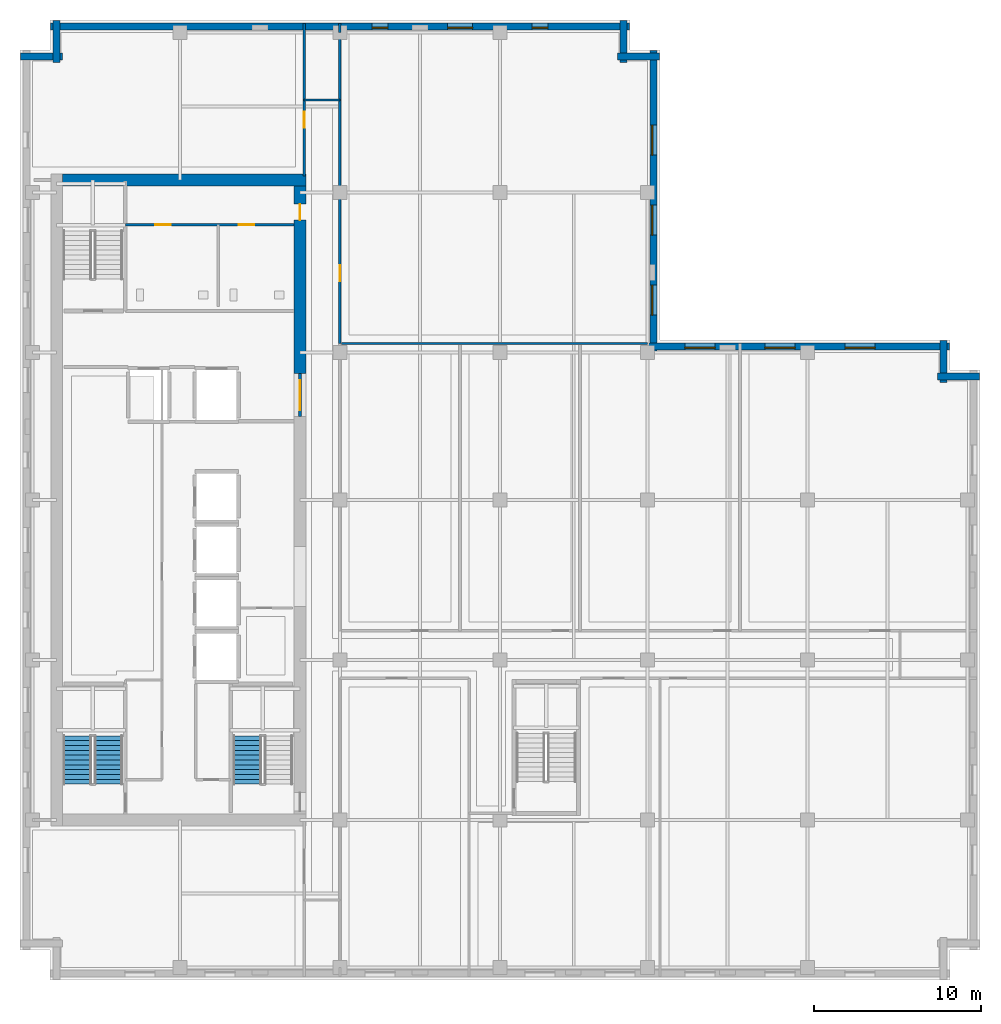
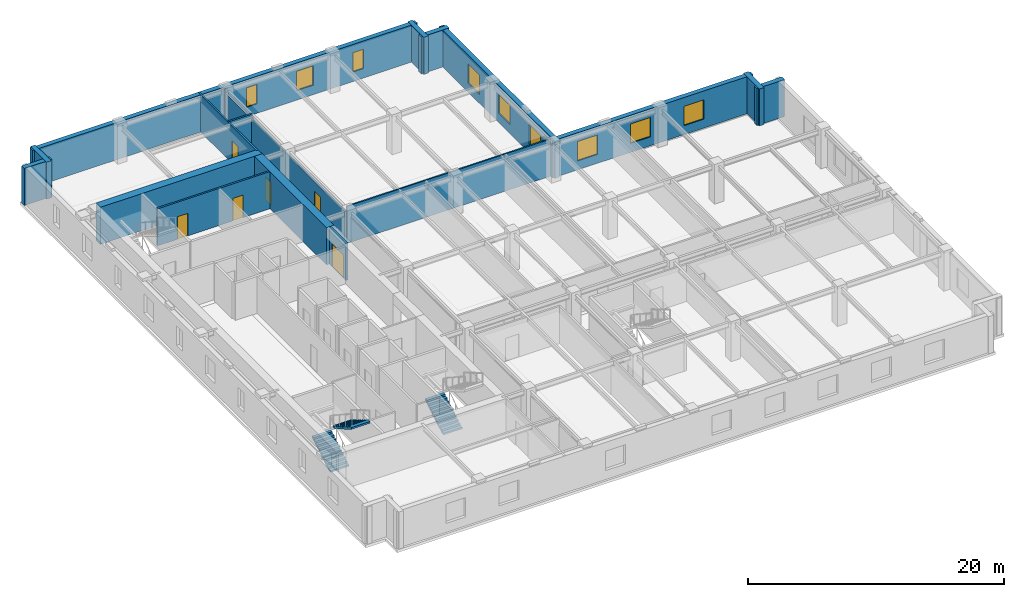
# One storey, part 6 of 11: 18 walls, 9 windows, 6 doors, 3 stair flights, 15 openings, 2 elements without a shape of their own.
"""IFC4 building model written with IfcOpenShell, lengths in metres."""

from ifc_helpers import new_model, si_unit, direction, frame, frame_2d, origin, place, context, subcontext, project, spatial, polyline, rectangle, outline, extrude, material, layer, layer_set, type_object, element, fill, aggregate, save


model = new_model("IFC4")

# Units and contexts
model_context = context("Model", 3, precision=1e-05, world=origin(), true_north=direction((0.0, 1.0)))
body_context = subcontext(model_context, "Body", "Model", "MODEL_VIEW")
ifc_project = project(units=[si_unit("LENGTHUNIT", "METRE"), si_unit("AREAUNIT", "SQUARE_METRE"), si_unit("VOLUMEUNIT", "CUBIC_METRE"), si_unit("PLANEANGLEUNIT", "RADIAN"), si_unit("MASSUNIT", "GRAM", prefix="KILO")], contexts=[model_context])

# Site, building, storey
site_placement = place(None, origin())
site = spatial("IfcSite", under=ifc_project, at=site_placement, CompositionType="ELEMENT")
building_placement = place(site_placement, origin())
building = spatial("IfcBuilding", under=site, at=building_placement, Name="Norrvale University Quadrangle", CompositionType="ELEMENT")
storey_placement = place(building_placement, frame((0.0, 0.0, 206.60009765625)))
storey = spatial("IfcBuildingStorey", under=building, at=storey_placement, Name="L52", CompositionType="ELEMENT", Elevation=206.60009765625)

# Walls
ifc_material_1 = material(Name="Buff Norman Clay Brick Masonry", Category="masonry")
ifc_layer_1 = layer(ifc_material_1, 0.419921875, Name="Buff Norman Clay Brick Masonry")
ifc_layer_set_1 = layer_set([ifc_layer_1], Name="Buff Norman Clay Brick Masonry")
wall_type_1 = type_object("IfcWallType", Name="Wall Buff Brick 420", PredefinedType="SOLIDWALL", material=ifc_layer_set_1)
for number, where, z_axis, x_axis, name in (
    (1, (57.56005859375, 36.2099609375, 0.0), (0.0, 0.0, 1.0), (-1.0, 0.0, 0.0), "Exterior Brick Facade Wall L52-05.1"),
    (2, (55.409912109375, 35.860107421875, 0.0), (0.0, 0.0, 1.0), (0.0, 1.0, 0.0), "Exterior Brick Facade Wall L52-06.1"),
):
    element("IfcWall", number, at=place(storey_placement, frame(where, z_axis=z_axis, x_axis=x_axis)), inside=storey, type_object=wall_type_1, Name=name, PredefinedType="SOLIDWALL", context=body_context, shape_type="SweptSolid", body=[
        extrude(rectangle(XDim=2.5, YDim=0.419921875, at=frame_2d((1.25, 0.0))), origin(), (0.0, 0.0, 1.0), 3.539794921875),
    ])

# Wall, openings, windows
wall_1_placement = place(storey_placement, frame((55.760009765625, 38.010009765625, 0.0), z_axis=(0.0, 0.0, 1.0), x_axis=(-1.0, 0.0, 0.0)))
wall_1 = element("IfcWall", 3, at=wall_1_placement, inside=storey, type_object=wall_type_1, Name="Exterior Brick Facade Wall L52-07.1", PredefinedType="SOLIDWALL", context=body_context, shape_type="SweptSolid", body=[
    extrude(rectangle(XDim=18.10009765625, YDim=0.419921875, at=frame_2d((9.050048828125, 0.0))), origin(), (0.0, 0.0, 1.0), 3.539794921875),
])
opening_1_placement = place(wall_1_placement, frame((4.4599609375, 0.0, 0.85009765625)))
opening_1 = element("IfcOpeningElement", 4, at=opening_1_placement, cuts=wall_1, Name="Opening W01", PredefinedType="OPENING", context=body_context, shape_type="SweptSolid", body=[
    extrude(rectangle(XDim=1.800048828125, YDim=1.85009765625, at=frame_2d((0.89990234375, 0.925048828125))), frame((0.0, 0.221923828125, 0.0), z_axis=(0.0, -1.0, 0.0), x_axis=(1.0, 0.0, 0.0)), (0.0, 0.0, 1.0), 0.44384765625),
])
opening_2_placement = place(wall_1_placement, frame((9.260009765625, 0.0, 0.85009765625)))
opening_2 = element("IfcOpeningElement", 5, at=opening_2_placement, cuts=wall_1, Name="Opening W01", PredefinedType="OPENING", context=body_context, shape_type="SweptSolid", body=[
    extrude(rectangle(XDim=1.800048828125, YDim=1.85009765625, at=frame_2d((0.89990234375, 0.925048828125))), frame((0.0, 0.221923828125, 0.0), z_axis=(0.0, -1.0, 0.0), x_axis=(1.0, 0.0, 0.0)), (0.0, 0.0, 1.0), 0.44384765625),
])
opening_3_placement = place(wall_1_placement, frame((14.06005859375, 0.0, 0.85009765625)))
opening_3 = element("IfcOpeningElement", 6, at=opening_3_placement, cuts=wall_1, Name="Opening W01", PredefinedType="OPENING", context=body_context, shape_type="SweptSolid", body=[
    extrude(rectangle(XDim=1.800048828125, YDim=1.85009765625, at=frame_2d((0.89990234375, 0.925048828125))), frame((0.0, 0.221923828125, 0.0), z_axis=(0.0, -1.0, 0.0), x_axis=(1.0, 0.0, 0.0)), (0.0, 0.0, 1.0), 0.44384765625),
])
ifc_material_2 = material(Name="Triple Low-E Argon Glazing", Category="glass")
window_type_1 = type_object("IfcWindowType", Name="Window Academic 1800x2300", PartitioningType="DOUBLE_PANEL_VERTICAL", PredefinedType="WINDOW", material=ifc_material_2)
window_1_placement = place(opening_1_placement, origin())
window_1 = element("IfcWindow", 7, at=window_1_placement, inside=storey, type_object=window_type_1, Name="Window Academic 1800x2300 WIN-L52-E07-1-01", OverallHeight=1.85009765625, OverallWidth=1.800048828125, PartitioningType="DOUBLE_PANEL_VERTICAL", PredefinedType="WINDOW", context=body_context, shape_type="SweptSolid", body=[
    extrude(rectangle(XDim=1.800048828125, YDim=1.85009765625, at=frame_2d((0.89990234375, 0.925048828125))), frame((0.0, 0.110107421875, 0.0), z_axis=(0.0, -1.0, 0.0), x_axis=(1.0, 0.0, 0.0)), (0.0, 0.0, 1.0), 0.06005859375),
])
fill(opening_1, window_1)
window_2_placement = place(opening_2_placement, origin())
window_2 = element("IfcWindow", 8, at=window_2_placement, inside=storey, type_object=window_type_1, Name="Window Academic 1800x2300 WIN-L52-E07-1-02", OverallHeight=1.85009765625, OverallWidth=1.800048828125, PartitioningType="DOUBLE_PANEL_VERTICAL", PredefinedType="WINDOW", context=body_context, shape_type="SweptSolid", body=[
    extrude(rectangle(XDim=1.800048828125, YDim=1.85009765625, at=frame_2d((0.89990234375, 0.925048828125))), frame((0.0, 0.110107421875, 0.0), z_axis=(0.0, -1.0, 0.0), x_axis=(1.0, 0.0, 0.0)), (0.0, 0.0, 1.0), 0.06005859375),
])
fill(opening_2, window_2)
window_3_placement = place(opening_3_placement, origin())
window_3 = element("IfcWindow", 9, at=window_3_placement, inside=storey, type_object=window_type_1, Name="Window Academic 1800x2300 WIN-L52-E07-1-03", OverallHeight=1.85009765625, OverallWidth=1.800048828125, PartitioningType="DOUBLE_PANEL_VERTICAL", PredefinedType="WINDOW", context=body_context, shape_type="SweptSolid", body=[
    extrude(rectangle(XDim=1.800048828125, YDim=1.85009765625, at=frame_2d((0.89990234375, 0.925048828125))), frame((0.0, 0.110107421875, 0.0), z_axis=(0.0, -1.0, 0.0), x_axis=(1.0, 0.0, 0.0)), (0.0, 0.0, 1.0), 0.06005859375),
])
fill(opening_3, window_3)

wall_2_placement = place(storey_placement, frame((38.010009765625, 37.659912109375, 0.0), z_axis=(0.0, 0.0, 1.0), x_axis=(0.0, 1.0, 0.0)))
wall_2 = element("IfcWall", 10, at=wall_2_placement, inside=storey, type_object=wall_type_1, Name="Exterior Brick Facade Wall L52-08.1", PredefinedType="SOLIDWALL", context=body_context, shape_type="SweptSolid", body=[
    extrude(rectangle(XDim=18.10009765625, YDim=0.419921875, at=frame_2d((9.050048828125, 0.0))), origin(), (0.0, 0.0, 1.0), 3.539794921875),
])
opening_4_placement = place(wall_2_placement, frame((2.239990234375, 0.0, 0.85009765625)))
opening_4 = element("IfcOpeningElement", 11, at=opening_4_placement, cuts=wall_2, Name="Opening W01", PredefinedType="OPENING", context=body_context, shape_type="SweptSolid", body=[
    extrude(rectangle(XDim=1.800048828125, YDim=1.85009765625, at=frame_2d((0.89990234375, 0.925048828125))), frame((0.0, 0.221923828125, 0.0), z_axis=(0.0, -1.0, 0.0), x_axis=(1.0, 0.0, 0.0)), (0.0, 0.0, 1.0), 0.44384765625),
])
opening_5_placement = place(wall_2_placement, frame((7.0400390625, 0.0, 0.85009765625)))
opening_5 = element("IfcOpeningElement", 12, at=opening_5_placement, cuts=wall_2, Name="Opening W01", PredefinedType="OPENING", context=body_context, shape_type="SweptSolid", body=[
    extrude(rectangle(XDim=1.800048828125, YDim=1.85009765625, at=frame_2d((0.89990234375, 0.925048828125))), frame((0.0, 0.221923828125, 0.0), z_axis=(0.0, -1.0, 0.0), x_axis=(1.0, 0.0, 0.0)), (0.0, 0.0, 1.0), 0.44384765625),
])
opening_6_placement = place(wall_2_placement, frame((11.840087890625, 0.0, 0.85009765625)))
opening_6 = element("IfcOpeningElement", 13, at=opening_6_placement, cuts=wall_2, Name="Opening W01", PredefinedType="OPENING", context=body_context, shape_type="SweptSolid", body=[
    extrude(rectangle(XDim=1.800048828125, YDim=1.85009765625, at=frame_2d((0.89990234375, 0.925048828125))), frame((0.0, 0.221923828125, 0.0), z_axis=(0.0, -1.0, 0.0), x_axis=(1.0, 0.0, 0.0)), (0.0, 0.0, 1.0), 0.44384765625),
])
window_4_placement = place(opening_4_placement, origin())
window_4 = element("IfcWindow", 14, at=window_4_placement, inside=storey, type_object=window_type_1, Name="Window Academic 1800x2300 WIN-L52-E08-1-01", OverallHeight=1.85009765625, OverallWidth=1.800048828125, PartitioningType="DOUBLE_PANEL_VERTICAL", PredefinedType="WINDOW", context=body_context, shape_type="SweptSolid", body=[
    extrude(rectangle(XDim=1.800048828125, YDim=1.85009765625, at=frame_2d((0.89990234375, 0.925048828125))), frame((0.0, 0.110107421875, 0.0), z_axis=(0.0, -1.0, 0.0), x_axis=(1.0, 0.0, 0.0)), (0.0, 0.0, 1.0), 0.06005859375),
])
fill(opening_4, window_4)
window_5_placement = place(opening_5_placement, origin())
window_5 = element("IfcWindow", 15, at=window_5_placement, inside=storey, type_object=window_type_1, Name="Window Academic 1800x2300 WIN-L52-E08-1-02", OverallHeight=1.85009765625, OverallWidth=1.800048828125, PartitioningType="DOUBLE_PANEL_VERTICAL", PredefinedType="WINDOW", context=body_context, shape_type="SweptSolid", body=[
    extrude(rectangle(XDim=1.800048828125, YDim=1.85009765625, at=frame_2d((0.89990234375, 0.925048828125))), frame((0.0, 0.110107421875, 0.0), z_axis=(0.0, -1.0, 0.0), x_axis=(1.0, 0.0, 0.0)), (0.0, 0.0, 1.0), 0.06005859375),
])
fill(opening_5, window_5)
window_6_placement = place(opening_6_placement, origin())
window_6 = element("IfcWindow", 16, at=window_6_placement, inside=storey, type_object=window_type_1, Name="Window Academic 1800x2300 WIN-L52-E08-1-03", OverallHeight=1.85009765625, OverallWidth=1.800048828125, PartitioningType="DOUBLE_PANEL_VERTICAL", PredefinedType="WINDOW", context=body_context, shape_type="SweptSolid", body=[
    extrude(rectangle(XDim=1.800048828125, YDim=1.85009765625, at=frame_2d((0.89990234375, 0.925048828125))), frame((0.0, 0.110107421875, 0.0), z_axis=(0.0, -1.0, 0.0), x_axis=(1.0, 0.0, 0.0)), (0.0, 0.0, 1.0), 0.06005859375),
])
fill(opening_6, window_6)

# Walls
for number, where, z_axis, x_axis, name in (
    (17, (38.360107421875, 55.409912109375, 0.0), (0.0, 0.0, 1.0), (-1.0, 0.0, 0.0), "Exterior Brick Facade Wall L52-09.1"),
    (18, (36.2099609375, 55.06005859375, 0.0), (0.0, 0.0, 1.0), (0.0, 1.0, 0.0), "Exterior Brick Facade Wall L52-10.1"),
):
    element("IfcWall", number, at=place(storey_placement, frame(where, z_axis=z_axis, x_axis=x_axis)), inside=storey, type_object=wall_type_1, Name=name, PredefinedType="SOLIDWALL", context=body_context, shape_type="SweptSolid", body=[
        extrude(rectangle(XDim=2.5, YDim=0.419921875, at=frame_2d((1.25, 0.0))), origin(), (0.0, 0.0, 1.0), 3.539794921875),
    ])

# Wall, openings, windows
wall_3_placement = place(storey_placement, frame((36.56005859375, 57.2099609375, 0.0), z_axis=(0.0, 0.0, 1.0), x_axis=(-1.0, 0.0, 0.0)))
wall_3 = element("IfcWall", 19, at=wall_3_placement, inside=storey, type_object=wall_type_1, Name="Exterior Brick Facade Wall L52-11.1", PredefinedType="SOLIDWALL", context=body_context, shape_type="SweptSolid", body=[
    extrude(rectangle(XDim=34.719970703125, YDim=0.419921875, at=frame_2d((17.35986328125, 0.0))), origin(), (0.0, 0.0, 1.0), 3.539794921875),
])
opening_7_placement = place(wall_3_placement, frame((4.885009765625, 0.0, 0.89990234375)))
opening_7 = element("IfcOpeningElement", 20, at=opening_7_placement, cuts=wall_3, Name="Opening W04", PredefinedType="OPENING", context=body_context, shape_type="SweptSolid", body=[
    extrude(rectangle(XDim=0.949951171875, YDim=1.85009765625, at=frame_2d((0.47509765625, 0.925048828125))), frame((0.0, 0.221923828125, 0.0), z_axis=(0.0, -1.0, 0.0), x_axis=(1.0, 0.0, 0.0)), (0.0, 0.0, 1.0), 0.44384765625),
])
opening_8_placement = place(wall_3_placement, frame((9.409912109375, 0.0, 0.89990234375)))
opening_8 = element("IfcOpeningElement", 21, at=opening_8_placement, cuts=wall_3, Name="Opening W03", PredefinedType="OPENING", context=body_context, shape_type="SweptSolid", body=[
    extrude(rectangle(XDim=1.5, YDim=1.85009765625, at=frame_2d((0.75, 0.925048828125))), frame((0.0, 0.221923828125, 0.0), z_axis=(0.0, -1.0, 0.0), x_axis=(1.0, 0.0, 0.0)), (0.0, 0.0, 1.0), 0.44384765625),
])
opening_9_placement = place(wall_3_placement, frame((14.485107421875, 0.0, 0.89990234375)))
opening_9 = element("IfcOpeningElement", 22, at=opening_9_placement, cuts=wall_3, Name="Opening W04", PredefinedType="OPENING", context=body_context, shape_type="SweptSolid", body=[
    extrude(rectangle(XDim=0.949951171875, YDim=1.85009765625, at=frame_2d((0.47509765625, 0.925048828125))), frame((0.0, 0.221923828125, 0.0), z_axis=(0.0, -1.0, 0.0), x_axis=(1.0, 0.0, 0.0)), (0.0, 0.0, 1.0), 0.44384765625),
])
window_type_2 = type_object("IfcWindowType", Name="Window Narrow Pier 950x2300", PartitioningType="SINGLE_PANEL", PredefinedType="WINDOW", material=ifc_material_2)
window_7_placement = place(opening_7_placement, origin())
window_7 = element("IfcWindow", 23, at=window_7_placement, inside=storey, type_object=window_type_2, Name="Window Narrow Pier 950x2300 WIN-L52-E11-1-01", OverallHeight=1.85009765625, OverallWidth=0.949951171875, PartitioningType="SINGLE_PANEL", PredefinedType="WINDOW", context=body_context, shape_type="SweptSolid", body=[
    extrude(rectangle(XDim=0.949951171875, YDim=1.85009765625, at=frame_2d((0.47509765625, 0.925048828125))), frame((0.0, 0.110107421875, 0.0), z_axis=(0.0, -1.0, 0.0), x_axis=(1.0, 0.0, 0.0)), (0.0, 0.0, 1.0), 0.06005859375),
])
fill(opening_7, window_7)
window_8_placement = place(opening_9_placement, origin())
window_8 = element("IfcWindow", 24, at=window_8_placement, inside=storey, type_object=window_type_2, Name="Window Narrow Pier 950x2300 WIN-L52-E11-1-03", OverallHeight=1.85009765625, OverallWidth=0.949951171875, PartitioningType="SINGLE_PANEL", PredefinedType="WINDOW", context=body_context, shape_type="SweptSolid", body=[
    extrude(rectangle(XDim=0.949951171875, YDim=1.85009765625, at=frame_2d((0.47509765625, 0.925048828125))), frame((0.0, 0.110107421875, 0.0), z_axis=(0.0, -1.0, 0.0), x_axis=(1.0, 0.0, 0.0)), (0.0, 0.0, 1.0), 0.06005859375),
])
fill(opening_9, window_8)
window_type_3 = type_object("IfcWindowType", Name="Window Studio 1500x2300", PartitioningType="DOUBLE_PANEL_VERTICAL", PredefinedType="WINDOW", material=ifc_material_2)
window_9_placement = place(opening_8_placement, origin())
window_9 = element("IfcWindow", 25, at=window_9_placement, inside=storey, type_object=window_type_3, Name="Window Studio 1500x2300 WIN-L52-E11-1-02", OverallHeight=1.85009765625, OverallWidth=1.5, PartitioningType="DOUBLE_PANEL_VERTICAL", PredefinedType="WINDOW", context=body_context, shape_type="SweptSolid", body=[
    extrude(rectangle(XDim=1.5, YDim=1.85009765625, at=frame_2d((0.75, 0.925048828125))), frame((0.0, 0.110107421875, 0.0), z_axis=(0.0, -1.0, 0.0), x_axis=(1.0, 0.0, 0.0)), (0.0, 0.0, 1.0), 0.06005859375),
])
fill(opening_8, window_9)

# Walls
for number, where, z_axis, x_axis, name in (
    (26, (2.18994140625, 57.56005859375, 0.0), (0.0, 0.0, 1.0), (0.0, -1.0, 0.0), "Exterior Brick Facade Wall L52-12.1"),
    (27, (2.5400390625, 55.409912109375, 0.0), (0.0, 0.0, 1.0), (-1.0, 0.0, 0.0), "Exterior Brick Facade Wall L52-13.1"),
):
    element("IfcWall", number, at=place(storey_placement, frame(where, z_axis=z_axis, x_axis=x_axis)), inside=storey, type_object=wall_type_1, Name=name, PredefinedType="SOLIDWALL", context=body_context, shape_type="SweptSolid", body=[
        extrude(rectangle(XDim=2.5, YDim=0.419921875, at=frame_2d((1.25, 0.0))), origin(), (0.0, 0.0, 1.0), 3.539794921875),
    ])
ifc_material_3 = material(Name="Concrete C60/75", Category="concrete")
ifc_layer_2 = layer(ifc_material_3, 0.699951171875, Name="Concrete C60/75")
ifc_layer_set_2 = layer_set([ifc_layer_2], Name="Concrete C60/75")
wall_type_2 = type_object("IfcWallType", Name="Wall Core 700", PredefinedType="SHEAR", material=ifc_layer_set_2)
wall_4_placement = place(storey_placement, frame((2.550048828125, 48.0, 0.0), z_axis=(0.0, 0.0, 1.0), x_axis=(1.0, 0.0, 0.0)))
element("IfcWall", 28, at=wall_4_placement, inside=storey, type_object=wall_type_2, Name="Tower Core Shear Wall L52-N", PredefinedType="SHEAR", context=body_context, shape_type="SweptSolid", body=[
    extrude(rectangle(XDim=14.599853515625, YDim=0.699951171875, at=frame_2d((7.2998046875, 0.0))), origin(), (0.0, 0.0, 1.0), 3.539794921875),
])

# Wall, opening, door
wall_5_placement = place(storey_placement, frame((16.800048828125, 36.39990234375, 0.0), z_axis=(0.0, 0.0, 1.0), x_axis=(0.0, 1.0, 0.0)))
wall_5 = element("IfcWall", 29, at=wall_5_placement, inside=storey, type_object=wall_type_2, Name="Tower Core Shear Wall L52-E3", PredefinedType="SHEAR", context=body_context, shape_type="SweptSolid", body=[
    extrude(rectangle(XDim=11.25, YDim=0.699951171875, at=frame_2d((5.625, 0.0))), origin(), (0.0, 0.0, 1.0), 3.539794921875),
])
opening_10_placement = place(wall_5_placement, frame((9.199951171875, 0.0, 0.0)))
opening_10 = element("IfcOpeningElement", 30, at=opening_10_placement, cuts=wall_5, Name="Opening D07", PredefinedType="OPENING", context=body_context, shape_type="SweptSolid", body=[
    extrude(rectangle(XDim=0.949951171875, YDim=2.14990234375, at=frame_2d((0.47509765625, 1.074951171875))), frame((0.0, 0.362060546875, 0.0), z_axis=(0.0, -1.0, 0.0), x_axis=(1.0, 0.0, 0.0)), (0.0, 0.0, 1.0), 0.723876953125),
])
ifc_material_4 = material(Name="Solid-Core Maple Door", Category="wood")
door_type_1 = type_object("IfcDoorType", Name="Door Office 950x2150", OperationType="NOTDEFINED", PredefinedType="DOOR", material=ifc_material_4)
door_1_placement = place(opening_10_placement, origin())
door_1 = element("IfcDoor", 31, at=door_1_placement, inside=storey, type_object=door_type_1, Name="Door Office 950x2150 DR-L52-NECORR", OperationType="SINGLE_SWING_LEFT", OverallHeight=2.14990234375, OverallWidth=0.949951171875, PredefinedType="DOOR", context=body_context, shape_type="SweptSolid", body=[
    extrude(rectangle(XDim=0.949951171875, YDim=2.14990234375, at=frame_2d((0.47509765625, 1.074951171875))), frame((0.0, 0.02490234375, 0.0), z_axis=(0.0, -1.0, 0.0), x_axis=(1.0, 0.0, 0.0)), (0.0, 0.0, 1.0), 0.050048828125),
])
fill(opening_10, door_1)

# Walls
ifc_material_5 = material(Name="Standard Academic Gypsum Partition")
ifc_layer_3 = layer(ifc_material_5, 0.125, Name="Standard Academic Gypsum Partition")
ifc_layer_set_3 = layer_set([ifc_layer_3], Name="Standard Academic Gypsum Partition")
wall_type_3 = type_object("IfcWallType", Name="Wall Gypsum Academic 125", PredefinedType="PARTITIONING", material=ifc_layer_set_3)
wall_6_placement = place(storey_placement, frame((19.280029296875, 38.179931640625, 0.0), z_axis=(0.0, 0.0, 1.0), x_axis=(1.0, 0.0, 0.0)))
element("IfcWall", 32, at=wall_6_placement, inside=storey, type_object=wall_type_3, Name="Interior Partition WL-L52-ME-N", PredefinedType="PARTITIONING", context=body_context, shape_type="SweptSolid", body=[
    extrude(rectangle(XDim=18.369873046875, YDim=0.125, at=frame_2d((9.18505859375, 0.0))), origin(), (0.0, 0.0, 1.0), 3.539794921875),
])
ifc_material_6 = material(Name="Fire-Rated Gypsum Stud Partition")
ifc_layer_4 = layer(ifc_material_6, 0.14990234375, Name="Fire-Rated Gypsum Stud Partition")
ifc_layer_set_4 = layer_set([ifc_layer_4], Name="Fire-Rated Gypsum Stud Partition")
wall_type_4 = type_object("IfcWallType", Name="Wall Gypsum Corridor 150", PredefinedType="PARTITIONING", material=ifc_layer_set_4)
wall_7_placement = place(storey_placement, frame((17.050048828125, 52.800048828125, 0.0), z_axis=(0.0, 0.0, 1.0), x_axis=(1.0, 0.0, 0.0)))
element("IfcWall", 33, at=wall_7_placement, inside=storey, type_object=wall_type_4, Name="Interior Partition WL-L52-CSP-N", PredefinedType="PARTITIONING", context=body_context, shape_type="SweptSolid", body=[
    extrude(rectangle(XDim=2.14990234375, YDim=0.14990234375, at=frame_2d((1.074951171875, 0.0))), origin(), (0.0, 0.0, 1.0), 3.539794921875),
])

# Wall, opening, door
wall_8_placement = place(storey_placement, frame((19.199951171875, 38.179931640625, 0.0), z_axis=(0.0, 0.0, 1.0), x_axis=(0.0, 1.0, 0.0)))
wall_8 = element("IfcWall", 34, at=wall_8_placement, inside=storey, type_object=wall_type_4, Name="Interior Partition WL-L52-NECW", PredefinedType="PARTITIONING", context=body_context, shape_type="SweptSolid", body=[
    extrude(rectangle(XDim=18.670166015625, YDim=0.14990234375, at=frame_2d((9.3349609375, 0.0))), origin(), (0.0, 0.0, 1.0), 3.07080078125),
])
opening_11_placement = place(wall_8_placement, frame((3.75, 0.0, 0.0)))
opening_11 = element("IfcOpeningElement", 35, at=opening_11_placement, cuts=wall_8, Name="Opening D07", PredefinedType="OPENING", context=body_context, shape_type="SweptSolid", body=[
    extrude(rectangle(XDim=0.949951171875, YDim=2.14990234375, at=frame_2d((0.47509765625, 1.074951171875))), frame((0.0, 0.0869140625, 0.0), z_axis=(0.0, -1.0, 0.0), x_axis=(1.0, 0.0, 0.0)), (0.0, 0.0, 1.0), 0.173828125),
])
door_2_placement = place(opening_11_placement, origin())
door_2 = element("IfcDoor", 36, at=door_2_placement, inside=storey, type_object=door_type_1, Name="Door Office 950x2150 DR-L52-NE01", OperationType="SINGLE_SWING_RIGHT", OverallHeight=2.14990234375, OverallWidth=0.949951171875, PredefinedType="DOOR", context=body_context, shape_type="SweptSolid", body=[
    extrude(rectangle(XDim=0.949951171875, YDim=2.14990234375, at=frame_2d((0.47509765625, 1.074951171875))), frame((0.0, 0.02490234375, 0.0), z_axis=(0.0, -1.0, 0.0), x_axis=(1.0, 0.0, 0.0)), (0.0, 0.0, 1.0), 0.050048828125),
])
fill(opening_11, door_2)

# Wall
wall_9_placement = place(storey_placement, frame((19.199951171875, 56.85009765625, 0.0), z_axis=(0.0, 0.0, 1.0), x_axis=(0.0, 1.0, 0.0)))
element("IfcWall", 37, at=wall_9_placement, inside=storey, type_object=wall_type_4, Name="Interior Partition WL-L52-NECW-B2", PredefinedType="PARTITIONING", context=body_context, shape_type="SweptSolid", body=[
    extrude(rectangle(XDim=0.52978515625, YDim=0.14990234375, at=frame_2d((0.264892578125, 0.0))), origin(), (0.0, 0.0, 1.0), 3.539794921875),
])

# Wall, opening, door
wall_10_placement = place(storey_placement, frame((17.050048828125, 48.25, 0.0), z_axis=(0.0, 0.0, 1.0), x_axis=(0.0, 1.0, 0.0)))
wall_10 = element("IfcWall", 38, at=wall_10_placement, inside=storey, type_object=wall_type_4, Name="Interior Partition WL-L52-NWCW", PredefinedType="PARTITIONING", context=body_context, shape_type="SweptSolid", body=[
    extrude(rectangle(XDim=9.1298828125, YDim=0.14990234375, at=frame_2d((4.56494140625, 0.0))), origin(), (0.0, 0.0, 1.0), 3.539794921875),
])
opening_12_placement = place(wall_10_placement, frame((2.89990234375, 0.0, 0.0)))
opening_12 = element("IfcOpeningElement", 39, at=opening_12_placement, cuts=wall_10, Name="Opening D07", PredefinedType="OPENING", context=body_context, shape_type="SweptSolid", body=[
    extrude(rectangle(XDim=0.949951171875, YDim=2.14990234375, at=frame_2d((0.47509765625, 1.074951171875))), frame((0.0, 0.0869140625, 0.0), z_axis=(0.0, -1.0, 0.0), x_axis=(1.0, 0.0, 0.0)), (0.0, 0.0, 1.0), 0.173828125),
])
door_3_placement = place(opening_12_placement, origin())
door_3 = element("IfcDoor", 40, at=door_3_placement, inside=storey, type_object=door_type_1, Name="Door Office 950x2150 DR-L52-NW01", OperationType="SINGLE_SWING_RIGHT", OverallHeight=2.14990234375, OverallWidth=0.949951171875, PredefinedType="DOOR", context=body_context, shape_type="SweptSolid", body=[
    extrude(rectangle(XDim=0.949951171875, YDim=2.14990234375, at=frame_2d((0.47509765625, 1.074951171875))), frame((0.0, 0.02490234375, 0.0), z_axis=(0.0, -1.0, 0.0), x_axis=(1.0, 0.0, 0.0)), (0.0, 0.0, 1.0), 0.050048828125),
])
fill(opening_12, door_3)

# Wall, openings, doors
ifc_material_7 = material(Name="Sanitary Chase Gypsum Partition")
ifc_layer_5 = layer(ifc_material_7, 0.1650390625, Name="Sanitary Chase Gypsum Partition")
ifc_layer_set_5 = layer_set([ifc_layer_5], Name="Sanitary Chase Gypsum Partition")
wall_type_5 = type_object("IfcWallType", Name="Wall Gypsum Sanitary 165", PredefinedType="PLUMBINGWALL", material=ifc_layer_set_5)
wall_11_placement = place(storey_placement, frame((6.320068359375, 45.320068359375, 0.0), z_axis=(0.0, 0.0, 1.0), x_axis=(1.0, 0.0, 0.0)))
wall_11 = element("IfcWall", 41, at=wall_11_placement, inside=storey, type_object=wall_type_5, Name="Interior Partition WL-L52-WCN", PredefinedType="PLUMBINGWALL", context=body_context, shape_type="SweptSolid", body=[
    extrude(rectangle(XDim=10.1298828125, YDim=0.1650390625, at=frame_2d((5.06494140625, 0.0))), origin(), (0.0, 0.0, 1.0), 3.539794921875),
])
opening_13_placement = place(wall_11_placement, frame((1.800048828125, 0.0, 0.0)))
opening_13 = element("IfcOpeningElement", 42, at=opening_13_placement, cuts=wall_11, Name="Opening D08", PredefinedType="OPENING", context=body_context, shape_type="SweptSolid", body=[
    extrude(rectangle(XDim=0.919921875, YDim=2.14990234375, at=frame_2d((0.4599609375, 1.074951171875))), frame((0.0, 0.094482421875, 0.0), z_axis=(0.0, -1.0, 0.0), x_axis=(1.0, 0.0, 0.0)), (0.0, 0.0, 1.0), 0.18896484375),
])
opening_14_placement = place(wall_11_placement, frame((6.800048828125, 0.0, 0.0)))
opening_14 = element("IfcOpeningElement", 43, at=opening_14_placement, cuts=wall_11, Name="Opening D08", PredefinedType="OPENING", context=body_context, shape_type="SweptSolid", body=[
    extrude(rectangle(XDim=0.919921875, YDim=2.14990234375, at=frame_2d((0.4599609375, 1.074951171875))), frame((0.0, 0.094482421875, 0.0), z_axis=(0.0, -1.0, 0.0), x_axis=(1.0, 0.0, 0.0)), (0.0, 0.0, 1.0), 0.18896484375),
])
ifc_material_8 = material(Name="Laminate Washroom Door", Category="wood")
door_type_2 = type_object("IfcDoorType", Name="Door Washroom 920x2150", OperationType="NOTDEFINED", PredefinedType="DOOR", material=ifc_material_8)
door_4_placement = place(opening_13_placement, origin())
door_4 = element("IfcDoor", 44, at=door_4_placement, inside=storey, type_object=door_type_2, Name="Door Washroom 920x2150 DR-L52-WC1", OperationType="SINGLE_SWING_LEFT", OverallHeight=2.14990234375, OverallWidth=0.919921875, PredefinedType="DOOR", context=body_context, shape_type="SweptSolid", body=[
    extrude(rectangle(XDim=0.919921875, YDim=2.14990234375, at=frame_2d((0.4599609375, 1.074951171875))), frame((0.0, 0.02490234375, 0.0), z_axis=(0.0, -1.0, 0.0), x_axis=(1.0, 0.0, 0.0)), (0.0, 0.0, 1.0), 0.050048828125),
])
fill(opening_13, door_4)
door_5_placement = place(opening_14_placement, origin())
door_5 = element("IfcDoor", 45, at=door_5_placement, inside=storey, type_object=door_type_2, Name="Door Washroom 920x2150 DR-L52-WC2", OperationType="SINGLE_SWING_RIGHT", OverallHeight=2.14990234375, OverallWidth=0.919921875, PredefinedType="DOOR", context=body_context, shape_type="SweptSolid", body=[
    extrude(rectangle(XDim=0.919921875, YDim=2.14990234375, at=frame_2d((0.4599609375, 1.074951171875))), frame((0.0, 0.02490234375, 0.0), z_axis=(0.0, -1.0, 0.0), x_axis=(1.0, 0.0, 0.0)), (0.0, 0.0, 1.0), 0.050048828125),
])
fill(opening_14, door_5)

# Wall, opening, door
ifc_material_9 = material(Name="Concrete Blockwork 20 MPa Rated Wall", Category="masonry")
ifc_layer_6 = layer(ifc_material_9, 0.199951171875, Name="Concrete Blockwork 20 MPa Rated Wall")
ifc_layer_set_6 = layer_set([ifc_layer_6], Name="Concrete Blockwork 20 MPa Rated Wall")
wall_type_6 = type_object("IfcWallType", Name="Wall Lobby 200", PredefinedType="SOLIDWALL", material=ifc_layer_set_6)
wall_12_placement = place(storey_placement, frame((16.800048828125, 33.800048828125, 0.0), z_axis=(0.0, 0.0, 1.0), x_axis=(0.0, 1.0, 0.0)))
wall_12 = element("IfcWall", 46, at=wall_12_placement, inside=storey, type_object=wall_type_6, Name="Interior Partition WL-L52-FFP", PredefinedType="SOLIDWALL", context=body_context, shape_type="SweptSolid", body=[
    extrude(rectangle(XDim=2.599853515625, YDim=0.199951171875, at=frame_2d((1.2998046875, 0.0))), origin(), (0.0, 0.0, 1.0), 3.539794921875),
])
opening_15_placement = place(wall_12_placement, frame((0.39990234375, 0.0, 0.0)))
opening_15 = element("IfcOpeningElement", 47, at=opening_15_placement, cuts=wall_12, Name="Opening D03", PredefinedType="OPENING", context=body_context, shape_type="SweptSolid", body=[
    extrude(rectangle(XDim=1.800048828125, YDim=2.199951171875, at=frame_2d((0.89990234375, 1.10009765625))), frame((0.0, 0.112060546875, 0.0), z_axis=(0.0, -1.0, 0.0), x_axis=(1.0, 0.0, 0.0)), (0.0, 0.0, 1.0), 0.223876953125),
])
ifc_material_10 = material(Name="Hollow Steel 350W Fire Door", Category="steel")
door_type_3 = type_object("IfcDoorType", Name="Door Fire Lobby 1800x2200", OperationType="DOUBLE_DOOR_SINGLE_SWING", PredefinedType="DOOR", material=ifc_material_10)
door_6_placement = place(opening_15_placement, origin())
door_6 = element("IfcDoor", 48, at=door_6_placement, inside=storey, type_object=door_type_3, Name="Door Fire Lobby 1800x2200 DR-L52-FFP", OperationType="DOUBLE_DOOR_SINGLE_SWING", OverallHeight=2.199951171875, OverallWidth=1.800048828125, PredefinedType="DOOR", context=body_context, shape_type="SweptSolid", body=[
    extrude(rectangle(XDim=1.800048828125, YDim=2.199951171875, at=frame_2d((0.89990234375, 1.10009765625))), frame((0.0, 0.02490234375, 0.0), z_axis=(0.0, -1.0, 0.0), x_axis=(1.0, 0.0, 0.0)), (0.0, 0.0, 1.0), 0.050048828125),
])
fill(opening_15, door_6)

# Stair, stair flights
ifc_material_11 = material(Name="Concrete C40/50", Category="concrete")
stair_type = type_object("IfcStairType", Name="Stair Tower Typ 3800", PredefinedType="TWO_STRAIGHT_RUN_STAIR", material=ifc_material_11)
stair_1_placement = place(storey_placement, origin())
stair_1 = element("IfcStair", 49, at=stair_1_placement, inside=storey, type_object=stair_type, Name="Exit Stair ST-01 L52", PredefinedType="TWO_STRAIGHT_RUN_STAIR")
stair_flight_type = type_object("IfcStairFlightType", Name="Flight Typ 1500", PredefinedType="STRAIGHT", material=ifc_material_11)
stair_flight_1_placement = place(storey_placement, frame((3.429931640625, 11.75, 0.0), z_axis=(0.0, 0.0, 1.0), x_axis=(0.0, 1.0, 0.0)))
stair_flight_1 = element("IfcStairFlight", 50, at=stair_flight_1_placement, type_object=stair_flight_type, Name="Exit Stair ST-01 L52 Lower Flight", NumberOfRisers=11, NumberOfTreads=10, PredefinedType="STRAIGHT", RiserHeight=0.172727, TreadLength=0.29, context=body_context, shape_type="SweptSolid", body=[
    extrude(outline(polyline([(0.0, 0.0), (0.0, 0.172607421875), (0.2900390625, 0.172607421875), (0.2900390625, 0.345458984375), (0.580078125, 0.345458984375), (0.580078125, 0.51806640625), (0.8701171875, 0.51806640625), (0.8701171875, 0.69091796875), (1.159912109375, 0.69091796875), (1.159912109375, 0.863525390625), (1.449951171875, 0.863525390625), (1.449951171875, 1.036376953125), (1.739990234375, 1.036376953125), (1.739990234375, 1.208984375), (2.030029296875, 1.208984375), (2.030029296875, 1.3818359375), (2.320068359375, 1.3818359375), (2.320068359375, 1.554443359375), (2.610107421875, 1.554443359375), (2.610107421875, 1.727294921875), (2.89990234375, 1.727294921875), (2.89990234375, 1.89990234375), (2.89990234375, 1.552734375), (0.29296875, 0.0), (0.0, 0.0)])), frame((0.0, 0.83984375, 0.0), z_axis=(0.0, -1.0, 0.0), x_axis=(1.0, 0.0, 0.0)), (0.0, 0.0, 1.0), 1.679931640625),
])
stair_flight_2_placement = place(storey_placement, frame((5.320068359375, 14.64990234375, 1.89990234375), z_axis=(0.0, 0.0, 1.0), x_axis=(0.0, -1.0, 0.0)))
stair_flight_2 = element("IfcStairFlight", 51, at=stair_flight_2_placement, type_object=stair_flight_type, Name="Exit Stair ST-01 L52 Upper Flight", NumberOfRisers=11, NumberOfTreads=10, PredefinedType="STRAIGHT", RiserHeight=0.172727, TreadLength=0.29, context=body_context, shape_type="SweptSolid", body=[
    extrude(outline(polyline([(0.0, 0.0), (0.0, 0.172607421875), (0.2900390625, 0.172607421875), (0.2900390625, 0.345458984375), (0.580078125, 0.345458984375), (0.580078125, 0.51806640625), (0.8701171875, 0.51806640625), (0.8701171875, 0.69091796875), (1.159912109375, 0.69091796875), (1.159912109375, 0.863525390625), (1.449951171875, 0.863525390625), (1.449951171875, 1.036376953125), (1.739990234375, 1.036376953125), (1.739990234375, 1.208984375), (2.030029296875, 1.208984375), (2.030029296875, 1.3818359375), (2.320068359375, 1.3818359375), (2.320068359375, 1.554443359375), (2.610107421875, 1.554443359375), (2.610107421875, 1.727294921875), (2.89990234375, 1.727294921875), (2.89990234375, 1.89990234375), (2.89990234375, 1.552734375), (0.29296875, 0.0), (0.0, 0.0)])), frame((0.0, 0.83984375, 0.0), z_axis=(0.0, -1.0, 0.0), x_axis=(1.0, 0.0, 0.0)), (0.0, 0.0, 1.0), 1.679931640625),
])
aggregate(stair_1, [stair_flight_1, stair_flight_2])

# Stair, stair flight
stair_2_placement = place(storey_placement, origin())
stair_2 = element("IfcStair", 52, at=stair_2_placement, inside=storey, type_object=stair_type, Name="Exit Stair ST-03 L52", PredefinedType="TWO_STRAIGHT_RUN_STAIR")
stair_flight_3_placement = place(storey_placement, frame((13.6298828125, 11.75, 0.0), z_axis=(0.0, 0.0, 1.0), x_axis=(0.0, 1.0, 0.0)))
stair_flight_3 = element("IfcStairFlight", 53, at=stair_flight_3_placement, type_object=stair_flight_type, Name="Exit Stair ST-03 L52 Lower Flight", NumberOfRisers=11, NumberOfTreads=10, PredefinedType="STRAIGHT", RiserHeight=0.172727, TreadLength=0.29, context=body_context, shape_type="SweptSolid", body=[
    extrude(outline(polyline([(0.0, 0.0), (0.0, 0.172607421875), (0.2900390625, 0.172607421875), (0.2900390625, 0.345458984375), (0.580078125, 0.345458984375), (0.580078125, 0.51806640625), (0.8701171875, 0.51806640625), (0.8701171875, 0.69091796875), (1.159912109375, 0.69091796875), (1.159912109375, 0.863525390625), (1.449951171875, 0.863525390625), (1.449951171875, 1.036376953125), (1.739990234375, 1.036376953125), (1.739990234375, 1.208984375), (2.030029296875, 1.208984375), (2.030029296875, 1.3818359375), (2.320068359375, 1.3818359375), (2.320068359375, 1.554443359375), (2.610107421875, 1.554443359375), (2.610107421875, 1.727294921875), (2.89990234375, 1.727294921875), (2.89990234375, 1.89990234375), (2.89990234375, 1.552734375), (0.29296875, 0.0), (0.0, 0.0)])), frame((0.0, 0.83984375, 0.0), z_axis=(0.0, -1.0, 0.0), x_axis=(1.0, 0.0, 0.0)), (0.0, 0.0, 1.0), 1.679931640625),
])
aggregate(stair_2, [stair_flight_3])

save(model, "model.ifc")
